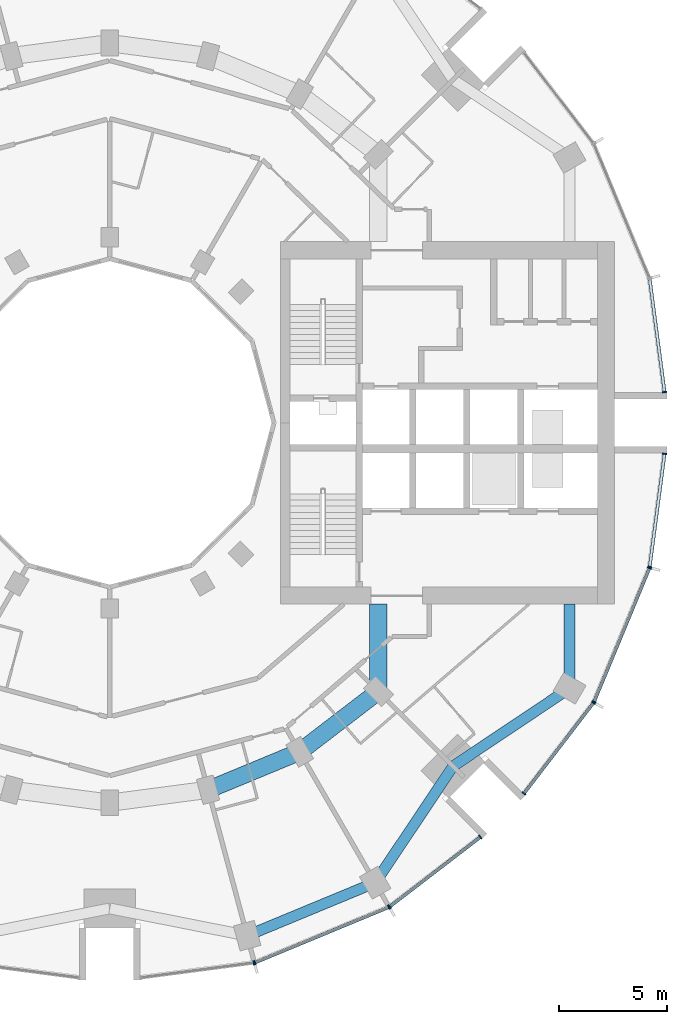
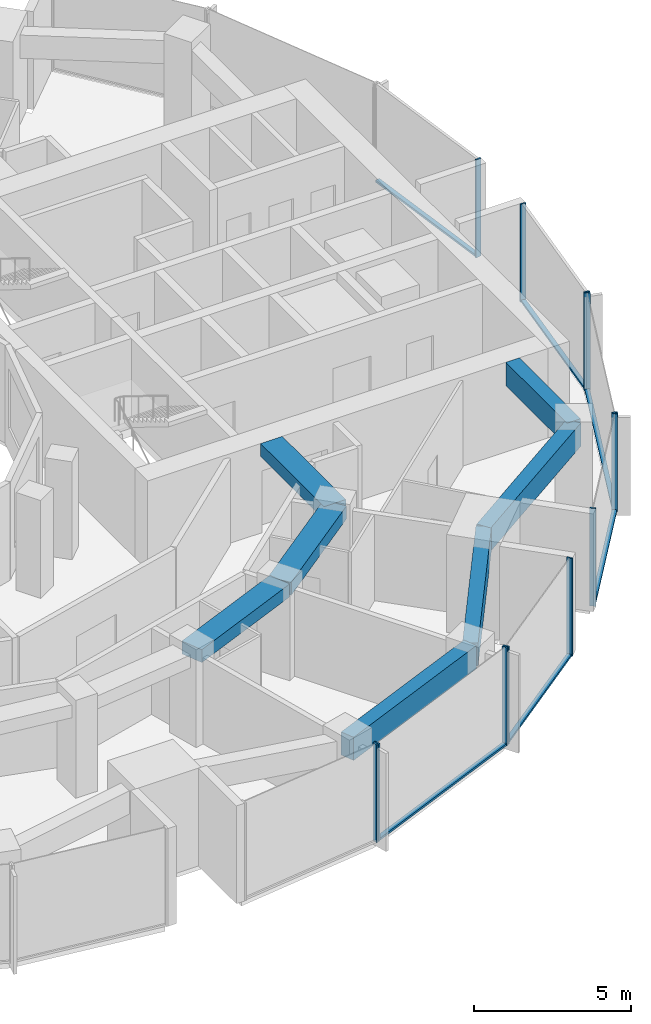
# One storey, part 4 of 15: 18 members, 7 beams, 7 elements without a shape of their own.
"""IFC4 building model written with IfcOpenShell, lengths in metres."""

from ifc_helpers import new_model, si_unit, direction, frame, origin, origin_2d, place, context, subcontext, project, spatial, rectangle, extrude, material, layer, layer_set, material_profile, profile_set, type_object, element, aggregate, save


model = new_model("IFC4")

# Units and contexts
model_context = context("Model", 3, precision=1e-05, world=origin(), true_north=direction((0.0, 1.0)))
body_context = subcontext(model_context, "Body", "Model", "MODEL_VIEW")
ifc_project = project(units=[si_unit("LENGTHUNIT", "METRE"), si_unit("AREAUNIT", "SQUARE_METRE"), si_unit("VOLUMEUNIT", "CUBIC_METRE"), si_unit("PLANEANGLEUNIT", "RADIAN"), si_unit("MASSUNIT", "GRAM", prefix="KILO")], contexts=[model_context])

# Site, building, storey
site_placement = place(None, origin())
site = spatial("IfcSite", under=ifc_project, at=site_placement, CompositionType="ELEMENT")
building_placement = place(site_placement, origin())
building = spatial("IfcBuilding", under=site, at=building_placement, Name="Torre Brocal", CompositionType="ELEMENT")
storey_placement = place(building_placement, frame((0.0, 0.0, 101.39990234375)))
storey = spatial("IfcBuildingStorey", under=building, at=storey_placement, Name="L23", CompositionType="ELEMENT", Elevation=101.39990234375)

# Curtain wall, member
ifc_material_1 = material(Name="Aluminium and glass", Category="aluminium")
ifc_layer_1 = layer(ifc_material_1, 0.199951171875)
ifc_layer_set_1 = layer_set([ifc_layer_1], Name="Aluminium and glass")
curtain_wall_type_1 = type_object("IfcCurtainWallType", Name="CW-1 CURTAIN WALL 3800 HIGH", PredefinedType="NOTDEFINED", material=ifc_layer_set_1)
curtain_wall_1_placement = place(storey_placement, origin())
curtain_wall_1 = element("IfcCurtainWall", 1, at=curtain_wall_1_placement, inside=storey, type_object=curtain_wall_type_1, Name="CW-1 RUN 19", PredefinedType="NOTDEFINED")
ifc_material_2 = material(Name="Aluminium, dark anodised", Category="aluminium")
ifc_material_profile_1 = material_profile(ifc_material_2, rectangle(XDim=0.199951171875, YDim=0.06005859375, at=origin_2d()), Name="CW-1 MULLION 60X200")
ifc_profile_set_1 = profile_set([ifc_material_profile_1], Name="Aluminium, dark anodised")
member_type_1 = type_object("IfcMemberType", Name="CW-1 MULLION 60X200", PredefinedType="MULLION", material=ifc_profile_set_1)
member_1_placement = place(storey_placement, frame((86.67333984375, 49.9794921875, 0.0), z_axis=(0.0, 0.0, 1.0), x_axis=(-0.13052619222, 0.991444861374, 0.0)))
member_1 = element("IfcMember", 2, at=member_1_placement, type_object=member_type_1, Name="CW1-1 mullion 2", PredefinedType="MULLION", context=body_context, shape_type="SweptSolid", body=[
    extrude(rectangle(XDim=0.199951171875, YDim=0.06005859375, at=origin_2d()), origin(), (0.0, 0.0, 1.0), 3.800048828125),
])
aggregate(curtain_wall_1, [member_1])

# Curtain wall, members
curtain_wall_2_placement = place(storey_placement, origin())
curtain_wall_2 = element("IfcCurtainWall", 3, at=curtain_wall_2_placement, inside=storey, type_object=curtain_wall_type_1, Name="CW-1 RUN 20", PredefinedType="NOTDEFINED")
member_2_placement = place(storey_placement, frame((86.73095703125, 49.994873046875, 0.0), z_axis=(0.0, 0.0, 1.0), x_axis=(-0.382683432333, 0.923879532525, 0.0)))
member_2 = element("IfcMember", 4, at=member_2_placement, type_object=member_type_1, Name="CW1-1 mullion 1", PredefinedType="MULLION", context=body_context, shape_type="SweptSolid", body=[
    extrude(rectangle(XDim=0.199951171875, YDim=0.06005859375, at=origin_2d()), origin(), (0.0, 0.0, 1.0), 3.800048828125),
])
member_3_placement = place(storey_placement, frame((92.921875, 52.559326171875, 0.0), z_axis=(0.0, 0.0, 1.0), x_axis=(-0.382683432333, 0.923879532525, 0.0)))
member_3 = element("IfcMember", 5, at=member_3_placement, type_object=member_type_1, Name="CW1-1 mullion 2", PredefinedType="MULLION", context=body_context, shape_type="SweptSolid", body=[
    extrude(rectangle(XDim=0.199951171875, YDim=0.06005859375, at=origin_2d()), origin(), (0.0, 0.0, 1.0), 3.800048828125),
])

curtain_wall_3_placement = place(storey_placement, origin())
curtain_wall_3 = element("IfcCurtainWall", 6, at=curtain_wall_3_placement, inside=storey, type_object=curtain_wall_type_1, Name="CW-1 RUN 21", PredefinedType="NOTDEFINED")
member_4_placement = place(storey_placement, frame((92.973388671875, 52.5888671875, 0.0), z_axis=(0.0, 0.0, 1.0), x_axis=(-0.60876142905, 0.793353340259, 0.0)))
member_4 = element("IfcMember", 7, at=member_4_placement, type_object=member_type_1, Name="CW1-1 mullion 1", PredefinedType="MULLION", context=body_context, shape_type="SweptSolid", body=[
    extrude(rectangle(XDim=0.199951171875, YDim=0.06005859375, at=origin_2d()), origin(), (0.0, 0.0, 1.0), 3.800048828125),
])
member_5_placement = place(storey_placement, frame((97.16943359375, 55.80859375, 0.0), z_axis=(0.0, 0.0, 1.0), x_axis=(-0.60876142905, 0.793353340259, 0.0)))
member_5 = element("IfcMember", 8, at=member_5_placement, type_object=member_type_1, Name="CW1-1 mullion 2", PredefinedType="MULLION", context=body_context, shape_type="SweptSolid", body=[
    extrude(rectangle(XDim=0.199951171875, YDim=0.06005859375, at=origin_2d()), origin(), (0.0, 0.0, 1.0), 3.800048828125),
])

curtain_wall_4_placement = place(storey_placement, origin())
curtain_wall_4 = element("IfcCurtainWall", 9, at=curtain_wall_4_placement, inside=storey, type_object=curtain_wall_type_1, Name="CW-1 RUN 22", PredefinedType="NOTDEFINED")
member_6_placement = place(storey_placement, frame((99.19140625, 57.83056640625, 0.0), z_axis=(0.0, 0.0, 1.0), x_axis=(-0.793353340259, 0.60876142905, 0.0)))
member_6 = element("IfcMember", 10, at=member_6_placement, type_object=member_type_1, Name="CW1-1 mullion 1", PredefinedType="MULLION", context=body_context, shape_type="SweptSolid", body=[
    extrude(rectangle(XDim=0.199951171875, YDim=0.06005859375, at=origin_2d()), origin(), (0.0, 0.0, 1.0), 3.800048828125),
])
member_7_placement = place(storey_placement, frame((102.4111328125, 62.026611328125, 0.0), z_axis=(0.0, 0.0, 1.0), x_axis=(-0.793353340259, 0.60876142905, 0.0)))
member_7 = element("IfcMember", 11, at=member_7_placement, type_object=member_type_1, Name="CW1-1 mullion 2", PredefinedType="MULLION", context=body_context, shape_type="SweptSolid", body=[
    extrude(rectangle(XDim=0.199951171875, YDim=0.06005859375, at=origin_2d()), origin(), (0.0, 0.0, 1.0), 3.800048828125),
])

curtain_wall_5_placement = place(storey_placement, origin())
curtain_wall_5 = element("IfcCurtainWall", 12, at=curtain_wall_5_placement, inside=storey, type_object=curtain_wall_type_1, Name="CW-1 RUN 23", PredefinedType="NOTDEFINED")
member_8_placement = place(storey_placement, frame((102.440673828125, 62.078125, 0.0), z_axis=(0.0, 0.0, 1.0), x_axis=(-0.923879532525, 0.382683432333, 0.0)))
member_8 = element("IfcMember", 13, at=member_8_placement, type_object=member_type_1, Name="CW1-1 mullion 1", PredefinedType="MULLION", context=body_context, shape_type="SweptSolid", body=[
    extrude(rectangle(XDim=0.199951171875, YDim=0.06005859375, at=origin_2d()), origin(), (0.0, 0.0, 1.0), 3.800048828125),
])
member_9_placement = place(storey_placement, frame((105.005126953125, 68.26904296875, 0.0), z_axis=(0.0, 0.0, 1.0), x_axis=(-0.923879532525, 0.382683432333, 0.0)))
member_9 = element("IfcMember", 14, at=member_9_placement, type_object=member_type_1, Name="CW1-1 mullion 2", PredefinedType="MULLION", context=body_context, shape_type="SweptSolid", body=[
    extrude(rectangle(XDim=0.199951171875, YDim=0.06005859375, at=origin_2d()), origin(), (0.0, 0.0, 1.0), 3.800048828125),
])

# Member
ifc_material_3 = material(Name="Aluminium, dark anodised", Category="aluminium")
ifc_material_profile_2 = material_profile(ifc_material_3, rectangle(XDim=0.159912109375, YDim=0.080078125, at=origin_2d()), Name="CW-1 TRANSOM 160X80")
ifc_profile_set_2 = profile_set([ifc_material_profile_2], Name="Aluminium, dark anodised")
member_type_2 = type_object("IfcMemberType", Name="CW-1 TRANSOM 160X80", PredefinedType="USERDEFINED", material=ifc_profile_set_2)
member_10_placement = place(storey_placement, frame((86.758544921875, 50.00634765625, 0.0400390625), z_axis=(0.923887344364, 0.38266457234, 0.0), x_axis=(-0.38266457234, 0.923887344364, 0.0)))
member_10 = element("IfcMember", 15, at=member_10_placement, type_object=member_type_2, Name="CW1-1 transom 1.1", ObjectType="TRANSOM", PredefinedType="USERDEFINED", context=body_context, shape_type="SweptSolid", body=[
    extrude(rectangle(XDim=0.159912109375, YDim=0.080078125, at=origin_2d()), origin(), (0.0, 0.0, 1.0), 6.640869140625),
])

aggregate(curtain_wall_2, [member_2, member_3, member_10])

member_11_placement = place(storey_placement, frame((92.9970703125, 52.607177734375, 0.0400390625), z_axis=(0.79336281513, 0.60874908096, 0.0), x_axis=(-0.60874908096, 0.79336281513, 0.0)))
member_11 = element("IfcMember", 16, at=member_11_placement, type_object=member_type_2, Name="CW1-1 transom 1.1", ObjectType="TRANSOM", PredefinedType="USERDEFINED", context=body_context, shape_type="SweptSolid", body=[
    extrude(rectangle(XDim=0.159912109375, YDim=0.080078125, at=origin_2d()), origin(), (0.0, 0.0, 1.0), 5.22900390625),
])

aggregate(curtain_wall_3, [member_4, member_5, member_11])

member_12_placement = place(storey_placement, frame((99.209716796875, 57.8544921875, 0.0400390625), z_axis=(0.60874908096, 0.79336281513, 0.0), x_axis=(-0.79336281513, 0.60874908096, 0.0)))
member_12 = element("IfcMember", 17, at=member_12_placement, type_object=member_type_2, Name="CW1-1 transom 1.1", ObjectType="TRANSOM", PredefinedType="USERDEFINED", context=body_context, shape_type="SweptSolid", body=[
    extrude(rectangle(XDim=0.159912109375, YDim=0.080078125, at=origin_2d()), origin(), (0.0, 0.0, 1.0), 5.22900390625),
])

aggregate(curtain_wall_4, [member_6, member_7, member_12])

member_13_placement = place(storey_placement, frame((102.452392578125, 62.10595703125, 0.0400390625), z_axis=(0.38266457234, 0.923887344364, 0.0), x_axis=(-0.923887344364, 0.38266457234, 0.0)))
member_13 = element("IfcMember", 18, at=member_13_placement, type_object=member_type_2, Name="CW1-1 transom 1.1", ObjectType="TRANSOM", PredefinedType="USERDEFINED", context=body_context, shape_type="SweptSolid", body=[
    extrude(rectangle(XDim=0.159912109375, YDim=0.080078125, at=origin_2d()), origin(), (0.0, 0.0, 1.0), 6.640869140625),
])

aggregate(curtain_wall_5, [member_8, member_9, member_13])

# Curtain wall, member
ifc_material_4 = material(Name="Aluminium and glass", Category="aluminium")
ifc_layer_2 = layer(ifc_material_4, 0.199951171875)
ifc_layer_set_2 = layer_set([ifc_layer_2], Name="Aluminium and glass")
curtain_wall_type_2 = type_object("IfcCurtainWallType", Name="CW-1B CURTAIN WALL 3800 HIGH", PredefinedType="NOTDEFINED", material=ifc_layer_set_2)
curtain_wall_6_placement = place(storey_placement, origin())
curtain_wall_6 = element("IfcCurtainWall", 19, at=curtain_wall_6_placement, inside=storey, type_object=curtain_wall_type_2, Name="CW-1B RUN 1", PredefinedType="NOTDEFINED")
ifc_material_5 = material(Name="Aluminium, dark anodised", Category="aluminium")
ifc_material_profile_3 = material_profile(ifc_material_5, rectangle(XDim=0.199951171875, YDim=0.06005859375, at=origin_2d()), Name="CW-1B MULLION 60X200")
ifc_profile_set_3 = profile_set([ifc_material_profile_3], Name="Aluminium, dark anodised")
member_type_3 = type_object("IfcMemberType", Name="CW-1B MULLION 60X200", PredefinedType="MULLION", material=ifc_profile_set_3)
member_14_placement = place(storey_placement, frame((105.7109375, 76.4296875, 0.0), z_axis=(0.0, 0.0, 1.0), x_axis=(-0.991444861374, -0.13052619222, 0.0)))
member_14 = element("IfcMember", 20, at=member_14_placement, type_object=member_type_3, Name="CW1B-1 mullion 1", PredefinedType="MULLION", context=body_context, shape_type="SweptSolid", body=[
    extrude(rectangle(XDim=0.199951171875, YDim=0.06005859375, at=origin_2d()), origin(), (0.0, 0.0, 1.0), 3.800048828125),
])

# Curtain wall, members
curtain_wall_7_placement = place(storey_placement, origin())
curtain_wall_7 = element("IfcCurtainWall", 21, at=curtain_wall_7_placement, inside=storey, type_object=curtain_wall_type_2, Name="CW-1B RUN 24", PredefinedType="NOTDEFINED")
member_15_placement = place(storey_placement, frame((105.0205078125, 68.32666015625, 0.0), z_axis=(0.0, 0.0, 1.0), x_axis=(-0.991444861374, 0.13052619222, 0.0)))
member_15 = element("IfcMember", 22, at=member_15_placement, type_object=member_type_3, Name="CW1B-1 mullion 1", PredefinedType="MULLION", context=body_context, shape_type="SweptSolid", body=[
    extrude(rectangle(XDim=0.199951171875, YDim=0.06005859375, at=origin_2d()), origin(), (0.0, 0.0, 1.0), 3.800048828125),
])
member_16_placement = place(storey_placement, frame((105.7109375, 73.5703125, 0.0), z_axis=(0.0, 0.0, 1.0), x_axis=(-0.991444861374, 0.13052619222, 0.0)))
member_16 = element("IfcMember", 23, at=member_16_placement, type_object=member_type_3, Name="CW1B-1 mullion 2", PredefinedType="MULLION", context=body_context, shape_type="SweptSolid", body=[
    extrude(rectangle(XDim=0.199951171875, YDim=0.06005859375, at=origin_2d()), origin(), (0.0, 0.0, 1.0), 3.800048828125),
])

# Member
ifc_material_6 = material(Name="Aluminium, dark anodised", Category="aluminium")
ifc_material_profile_4 = material_profile(ifc_material_6, rectangle(XDim=0.159912109375, YDim=0.080078125, at=origin_2d()), Name="CW-1B TRANSOM 160X80")
ifc_profile_set_4 = profile_set([ifc_material_profile_4], Name="Aluminium, dark anodised")
member_type_4 = type_object("IfcMemberType", Name="CW-1B TRANSOM 160X80", PredefinedType="USERDEFINED", material=ifc_profile_set_4)
member_17_placement = place(storey_placement, frame((105.70703125, 76.45947265625, 0.0400390625), z_axis=(-0.130542677827, 0.991442690863, 0.0), x_axis=(-0.991442690863, -0.130542677827, 0.0)))
member_17 = element("IfcMember", 24, at=member_17_placement, type_object=member_type_4, Name="CW1B-1 transom 1.1", ObjectType="TRANSOM", PredefinedType="USERDEFINED", context=body_context, shape_type="SweptSolid", body=[
    extrude(rectangle(XDim=0.159912109375, YDim=0.080078125, at=origin_2d()), origin(), (0.0, 0.0, 1.0), 5.22900390625),
])

aggregate(curtain_wall_6, [member_14, member_17])

member_18_placement = place(storey_placement, frame((105.0244140625, 68.356201171875, 0.0400390625), z_axis=(0.130542677827, 0.991442690863, 0.0), x_axis=(-0.991442690863, 0.130542677827, 0.0)))
member_18 = element("IfcMember", 25, at=member_18_placement, type_object=member_type_4, Name="CW1B-1 transom 1.1", ObjectType="TRANSOM", PredefinedType="USERDEFINED", context=body_context, shape_type="SweptSolid", body=[
    extrude(rectangle(XDim=0.159912109375, YDim=0.080078125, at=origin_2d()), origin(), (0.0, 0.0, 1.0), 5.22900390625),
])

aggregate(curtain_wall_7, [member_15, member_16, member_18])

# Beams
ifc_material_7 = material(Name="Concrete C50", Category="concrete")
ifc_material_profile_5 = material_profile(ifc_material_7, rectangle(XDim=0.800048828125, YDim=0.5, at=origin_2d()), Name="RC 800X500")
ifc_profile_set_5 = profile_set([ifc_material_profile_5], Name="Concrete C50")
beam_type_1 = type_object("IfcBeamType", Name="RC BEAM 800X500 C50 TOP 3480", PredefinedType="BEAM", material=ifc_profile_set_5)
beam_1_placement = place(storey_placement, frame((84.55517578125, 57.999755859375, 3.22998046875), z_axis=(0.923878240166, 0.382686552348, 0.0), x_axis=(-0.382686552348, 0.923878240166, 0.0)))
element("IfcBeam", 26, at=beam_1_placement, inside=storey, type_object=beam_type_1, Name="Beam BT-19", PredefinedType="BEAM", context=body_context, shape_type="SweptSolid", body=[
    extrude(rectangle(XDim=0.800048828125, YDim=0.5, at=origin_2d()), origin(), (0.0, 0.0, 1.0), 4.5947265625),
])
beam_2_placement = place(storey_placement, frame((88.800048828125, 59.758056640625, 3.22998046875), z_axis=(0.793358265959, 0.6087550097, 0.0), x_axis=(-0.6087550097, 0.793358265959, 0.0)))
element("IfcBeam", 27, at=beam_2_placement, inside=storey, type_object=beam_type_1, Name="Beam BT-19", PredefinedType="BEAM", context=body_context, shape_type="SweptSolid", body=[
    extrude(rectangle(XDim=0.800048828125, YDim=0.5, at=origin_2d()), origin(), (0.0, 0.0, 1.0), 4.594482421875),
])
beam_3_placement = place(storey_placement, frame((92.445068359375, 62.554931640625, 3.22998046875), z_axis=(0.0, 1.0, 0.0), x_axis=(-1.0, 0.0, 0.0)))
element("IfcBeam", 28, at=beam_3_placement, inside=storey, type_object=beam_type_1, Name="Beam BT-19", PredefinedType="BEAM", context=body_context, shape_type="SweptSolid", body=[
    extrude(rectangle(XDim=0.800048828125, YDim=0.5, at=origin_2d()), origin(), (0.0, 0.0, 1.0), 4.045166015625),
])
ifc_material_8 = material(Name="Concrete C50", Category="concrete")
ifc_material_profile_6 = material_profile(ifc_material_8, rectangle(XDim=0.5, YDim=0.89990234375, at=origin_2d()), Name="RC 500X900")
ifc_profile_set_6 = profile_set([ifc_material_profile_6], Name="Concrete C50")
beam_type_2 = type_object("IfcBeamType", Name="RC SPANDREL BEAM 500X900 C50 TOP 3480", PredefinedType="SPANDREL", material=ifc_profile_set_6)
beam_4_placement = place(storey_placement, frame((86.366943359375, 51.23828125, 3.030029296875), z_axis=(0.923882462513, 0.382676358639, 0.0), x_axis=(-0.382676358639, 0.923882462513, 0.0)))
element("IfcBeam", 29, at=beam_4_placement, inside=storey, type_object=beam_type_2, Name="Beam BT-20", PredefinedType="SPANDREL", context=body_context, shape_type="SweptSolid", body=[
    extrude(rectangle(XDim=0.5, YDim=0.89990234375, at=origin_2d()), origin(), (0.0, 0.0, 1.0), 6.421875),
])
for number, where, z_axis, x_axis, name in (
    (30, (92.300048828125, 53.69580078125, 3.030029296875), (0.556157602282, 0.831076844476, 0.0), (-0.831076844476, 0.556157602282, 0.0), "Beam BT-20"),
    (31, (95.909912109375, 59.090087890625, 3.030029296875), (0.831076844476, 0.556157602282, 0.0), (-0.556157602282, 0.831076844476, 0.0), "Beam BT-20"),
):
    element("IfcBeam", number, at=place(storey_placement, frame(where, z_axis=z_axis, x_axis=x_axis)), inside=storey, type_object=beam_type_2, Name=name, PredefinedType="SPANDREL", context=body_context, shape_type="SweptSolid", body=[
        extrude(rectangle(XDim=0.5, YDim=0.89990234375, at=origin_2d()), origin(), (0.0, 0.0, 1.0), 6.49072265625),
    ])
beam_5_placement = place(storey_placement, frame((101.30419921875, 62.699951171875, 3.030029296875), z_axis=(0.0, 1.0, 0.0), x_axis=(-1.0, 0.0, 0.0)))
element("IfcBeam", 32, at=beam_5_placement, inside=storey, type_object=beam_type_2, Name="Beam BT-20", PredefinedType="SPANDREL", context=body_context, shape_type="SweptSolid", body=[
    extrude(rectangle(XDim=0.5, YDim=0.89990234375, at=origin_2d()), origin(), (0.0, 0.0, 1.0), 3.900146484375),
])

save(model, "model.ifc")
